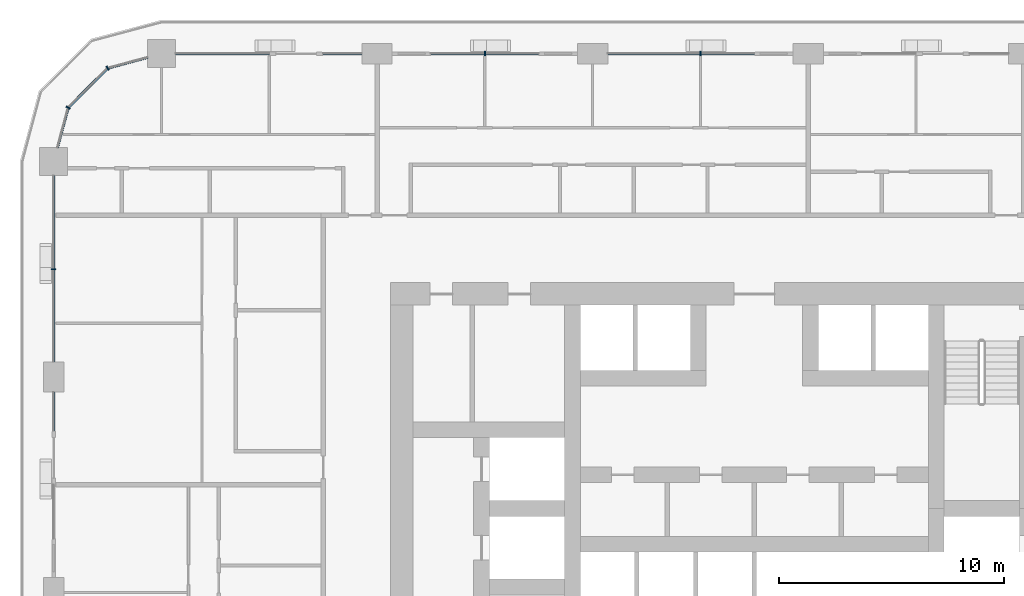
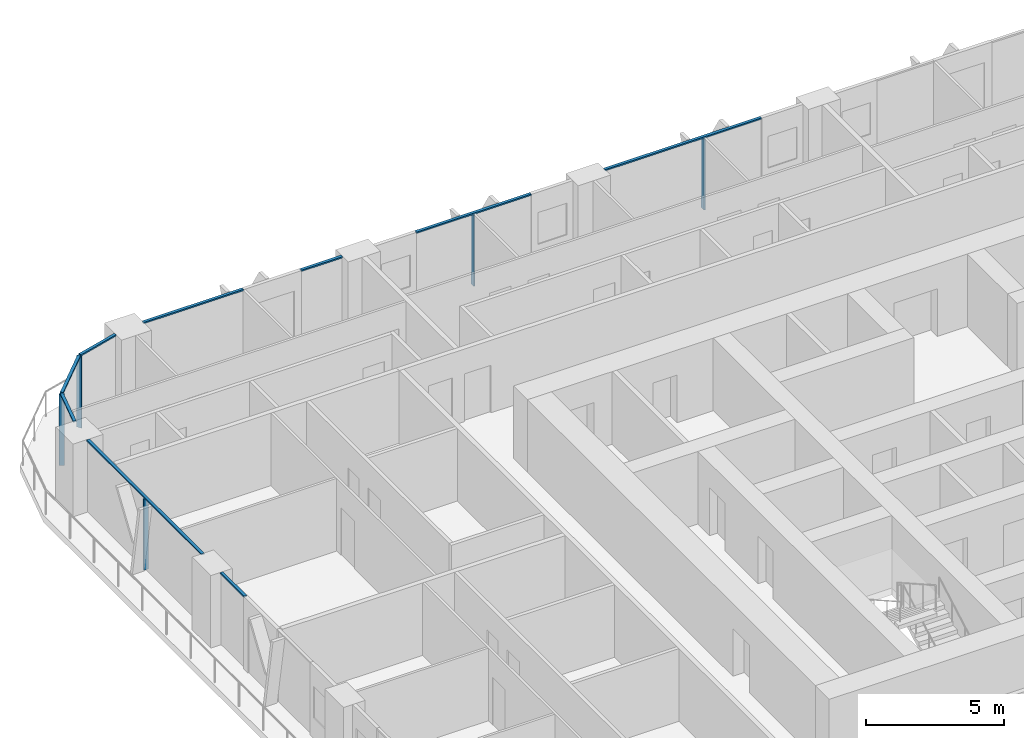
# One storey, part 5 of 21: 14 members, 6 elements without a shape of their own.
"""IFC4 building model written with IfcOpenShell, lengths in metres."""

from ifc_helpers import new_model, si_unit, direction, frame, origin, origin_2d, place, context, subcontext, project, spatial, rectangle, extrude, material, layer, layer_set, material_profile, profile_set, type_object, element, aggregate, save


model = new_model("IFC4")

# Units and contexts
model_context = context("Model", 3, precision=1e-05, world=origin(), true_north=direction((0.0, 1.0)))
body_context = subcontext(model_context, "Body", "Model", "MODEL_VIEW")
ifc_project = project(units=[si_unit("LENGTHUNIT", "METRE"), si_unit("AREAUNIT", "SQUARE_METRE"), si_unit("VOLUMEUNIT", "CUBIC_METRE"), si_unit("PLANEANGLEUNIT", "RADIAN"), si_unit("MASSUNIT", "GRAM", prefix="KILO")], contexts=[model_context])

# Site, building, storey
site_placement = place(None, origin())
site = spatial("IfcSite", under=ifc_project, at=site_placement, CompositionType="ELEMENT")
building_placement = place(site_placement, origin())
building = spatial("IfcBuilding", under=site, at=building_placement, Name="Madar Terraces", CompositionType="ELEMENT")
storey_placement = place(building_placement, frame((0.0, 0.0, 36.39990234375)))
storey = spatial("IfcBuildingStorey", under=building, at=storey_placement, Name="L08", CompositionType="ELEMENT", Elevation=36.39990234375)

# Curtain wall, member
ifc_material_1 = material(Name="Glass, ceramic frit dark grey, with black aluminium frame", Category="aluminium")
ifc_layer = layer(ifc_material_1, 0.199951171875)
ifc_layer_set = layer_set([ifc_layer], Name="Facade curtain wall, fritted glass")
curtain_wall_type = type_object("IfcCurtainWallType", Name="Facade curtain wall, fritted glass", PredefinedType="NOTDEFINED", material=ifc_layer_set)
curtain_wall_1_placement = place(storey_placement, origin())
curtain_wall_1 = element("IfcCurtainWall", 1, at=curtain_wall_1_placement, inside=storey, type_object=curtain_wall_type, Name="Outer skin curtain wall north bay 3", PredefinedType="NOTDEFINED")
ifc_material_2 = material(Name="Aluminium, black anodised", Category="aluminium")
ifc_material_profile_1 = material_profile(ifc_material_2, rectangle(XDim=0.199951171875, YDim=0.06005859375, at=origin_2d()), Name="Facade mullion 60x200")
ifc_profile_set_1 = profile_set([ifc_material_profile_1], Name="Aluminium, black anodised")
member_type_1 = type_object("IfcMemberType", Name="Facade mullion 60x200", PredefinedType="MULLION", material=ifc_profile_set_1)
member_1_placement = place(storey_placement, frame((28.800048828125, 48.0, 0.0), z_axis=(0.0, 0.0, 1.0), x_axis=(0.0, -1.0, 0.0)))
member_1 = element("IfcMember", 2, at=member_1_placement, type_object=member_type_1, Name="Mullion 1", PredefinedType="MULLION", context=body_context, shape_type="SweptSolid", body=[
    extrude(rectangle(XDim=0.199951171875, YDim=0.06005859375, at=origin_2d()), origin(), (0.0, 0.0, 1.0), 3.14013671875),
])

curtain_wall_2_placement = place(storey_placement, origin())
curtain_wall_2 = element("IfcCurtainWall", 3, at=curtain_wall_2_placement, inside=storey, type_object=curtain_wall_type, Name="Outer skin curtain wall north bay 4", PredefinedType="NOTDEFINED")
member_2_placement = place(storey_placement, frame((19.199951171875, 48.0, 0.0), z_axis=(0.0, 0.0, 1.0), x_axis=(0.0, -1.0, 0.0)))
member_2 = element("IfcMember", 4, at=member_2_placement, type_object=member_type_1, Name="Mullion 1", PredefinedType="MULLION", context=body_context, shape_type="SweptSolid", body=[
    extrude(rectangle(XDim=0.199951171875, YDim=0.06005859375, at=origin_2d()), origin(), (0.0, 0.0, 1.0), 3.14013671875),
])

curtain_wall_3_placement = place(storey_placement, origin())
curtain_wall_3 = element("IfcCurtainWall", 5, at=curtain_wall_3_placement, inside=storey, type_object=curtain_wall_type, Name="Outer skin curtain wall west bay 1", PredefinedType="NOTDEFINED")
member_3_placement = place(storey_placement, frame((0.0, 38.39990234375, 0.0), z_axis=(0.0, 0.0, 1.0), x_axis=(1.0, 0.0, 0.0)))
member_3 = element("IfcMember", 6, at=member_3_placement, type_object=member_type_1, Name="Mullion 1", PredefinedType="MULLION", context=body_context, shape_type="SweptSolid", body=[
    extrude(rectangle(XDim=0.199951171875, YDim=0.06005859375, at=origin_2d()), origin(), (0.0, 0.0, 1.0), 3.14013671875),
])

# Curtain wall, members
curtain_wall_4_placement = place(storey_placement, origin())
curtain_wall_4 = element("IfcCurtainWall", 7, at=curtain_wall_4_placement, inside=storey, type_object=curtain_wall_type, Name="Outer skin curtain wall north-west corner", PredefinedType="NOTDEFINED")
member_4_placement = place(storey_placement, frame((2.39990234375, 47.35693359375, 0.0), z_axis=(0.0, 0.0, 1.0), x_axis=(0.499999989586, -0.866025409797, 0.0)))
member_4 = element("IfcMember", 8, at=member_4_placement, type_object=member_type_1, Name="Mullion 1", PredefinedType="MULLION", context=body_context, shape_type="SweptSolid", body=[
    extrude(rectangle(XDim=0.199951171875, YDim=0.06005859375, at=origin_2d()), origin(), (0.0, 0.0, 1.0), 3.14013671875),
])
member_5_placement = place(storey_placement, frame((0.64306640625, 45.60009765625, 0.0), z_axis=(0.0, 0.0, 1.0), x_axis=(0.866025409797, -0.499999989586, 0.0)))
member_5 = element("IfcMember", 9, at=member_5_placement, type_object=member_type_1, Name="Mullion 2", PredefinedType="MULLION", context=body_context, shape_type="SweptSolid", body=[
    extrude(rectangle(XDim=0.199951171875, YDim=0.06005859375, at=origin_2d()), origin(), (0.0, 0.0, 1.0), 3.14013671875),
])

# Member
ifc_material_3 = material(Name="Aluminium, black anodised", Category="aluminium")
ifc_material_profile_2 = material_profile(ifc_material_3, rectangle(XDim=0.1201171875, YDim=0.06005859375, at=origin_2d()), Name="Facade transom 60x120")
ifc_profile_set_2 = profile_set([ifc_material_profile_2], Name="Aluminium, black anodised")
member_type_2 = type_object("IfcMemberType", Name="Facade transom 60x120", PredefinedType="USERDEFINED", material=ifc_profile_set_2)
member_6_placement = place(storey_placement, frame((31.199951171875, 48.0, 3.170166015625), z_axis=(-1.0, 0.0, 0.0), x_axis=(0.0, -1.0, 0.0)))
member_6 = element("IfcMember", 10, at=member_6_placement, type_object=member_type_2, Name="Transom 1", ObjectType="TRANSOM", PredefinedType="USERDEFINED", context=body_context, shape_type="SweptSolid", body=[
    extrude(rectangle(XDim=0.1201171875, YDim=0.06005859375, at=origin_2d()), origin(), (0.0, 0.0, 1.0), 6.52490234375),
])

aggregate(curtain_wall_1, [member_1, member_6])

member_7_placement = place(storey_placement, frame((21.60009765625, 48.0, 3.170166015625), z_axis=(-1.0, 0.0, 0.0), x_axis=(0.0, -1.0, 0.0)))
member_7 = element("IfcMember", 11, at=member_7_placement, type_object=member_type_2, Name="Transom 1", ObjectType="TRANSOM", PredefinedType="USERDEFINED", context=body_context, shape_type="SweptSolid", body=[
    extrude(rectangle(XDim=0.1201171875, YDim=0.06005859375, at=origin_2d()), origin(), (0.0, 0.0, 1.0), 4.800048828125),
])

aggregate(curtain_wall_2, [member_2, member_7])

# Curtain wall, members
curtain_wall_5_placement = place(storey_placement, origin())
curtain_wall_5 = element("IfcCurtainWall", 12, at=curtain_wall_5_placement, inside=storey, type_object=curtain_wall_type, Name="Outer skin curtain wall north bay 5", PredefinedType="NOTDEFINED")
member_8_placement = place(storey_placement, frame((13.72509765625, 48.0, 3.170166015625), z_axis=(-1.0, 0.0, 0.0), x_axis=(0.0, -1.0, 0.0)))
member_8 = element("IfcMember", 13, at=member_8_placement, type_object=member_type_2, Name="Transom 1", ObjectType="TRANSOM", PredefinedType="USERDEFINED", context=body_context, shape_type="SweptSolid", body=[
    extrude(rectangle(XDim=0.1201171875, YDim=0.06005859375, at=origin_2d()), origin(), (0.0, 0.0, 1.0), 1.72509765625),
])
member_9_placement = place(storey_placement, frame((9.60009765625, 48.0, 3.170166015625), z_axis=(-1.0, 0.0, 0.0), x_axis=(0.0, -1.0, 0.0)))
member_9 = element("IfcMember", 14, at=member_9_placement, type_object=member_type_2, Name="Transom 2", ObjectType="TRANSOM", PredefinedType="USERDEFINED", context=body_context, shape_type="SweptSolid", body=[
    extrude(rectangle(XDim=0.1201171875, YDim=0.06005859375, at=origin_2d()), origin(), (0.0, 0.0, 1.0), 4.175048828125),
])
aggregate(curtain_wall_5, [member_8, member_9])

# Member
member_10_placement = place(storey_placement, frame((0.0, 42.574951171875, 3.170166015625), z_axis=(0.0, -1.0, 0.0), x_axis=(1.0, 0.0, 0.0)))
member_10 = element("IfcMember", 15, at=member_10_placement, type_object=member_type_2, Name="Transom 1", ObjectType="TRANSOM", PredefinedType="USERDEFINED", context=body_context, shape_type="SweptSolid", body=[
    extrude(rectangle(XDim=0.1201171875, YDim=0.06005859375, at=origin_2d()), origin(), (0.0, 0.0, 1.0), 8.300048828125),
])

aggregate(curtain_wall_3, [member_3, member_10])

# Curtain wall, member
curtain_wall_6_placement = place(storey_placement, origin())
curtain_wall_6 = element("IfcCurtainWall", 16, at=curtain_wall_6_placement, inside=storey, type_object=curtain_wall_type, Name="Outer skin curtain wall west bay 2", PredefinedType="NOTDEFINED")
member_11_placement = place(storey_placement, frame((0.0, 32.925048828125, 3.170166015625), z_axis=(0.0, -1.0, 0.0), x_axis=(1.0, 0.0, 0.0)))
member_11 = element("IfcMember", 17, at=member_11_placement, type_object=member_type_2, Name="Transom 1", ObjectType="TRANSOM", PredefinedType="USERDEFINED", context=body_context, shape_type="SweptSolid", body=[
    extrude(rectangle(XDim=0.1201171875, YDim=0.06005859375, at=origin_2d()), origin(), (0.0, 0.0, 1.0), 1.72509765625),
])
aggregate(curtain_wall_6, [member_11])

# Member
member_12_placement = place(storey_placement, frame((4.175048828125, 47.83251953125, 3.170166015625), z_axis=(-0.965938406667, -0.258772089929, 0.0), x_axis=(0.258772089929, -0.965938406667, 0.0)))
member_12 = element("IfcMember", 18, at=member_12_placement, type_object=member_type_2, Name="Transom 1", ObjectType="TRANSOM", PredefinedType="USERDEFINED", context=body_context, shape_type="SweptSolid", body=[
    extrude(rectangle(XDim=0.1201171875, YDim=0.06005859375, at=origin_2d()), origin(), (0.0, 0.0, 1.0), 1.8076171875),
])

member_13_placement = place(storey_placement, frame((2.37890625, 47.335693359375, 3.170166015625), z_axis=(-0.707106781187, -0.707106781187, 0.0), x_axis=(0.707106781187, -0.707106781187, 0.0)))
member_13 = element("IfcMember", 19, at=member_13_placement, type_object=member_type_2, Name="Transom 2", ObjectType="TRANSOM", PredefinedType="USERDEFINED", context=body_context, shape_type="SweptSolid", body=[
    extrude(rectangle(XDim=0.1201171875, YDim=0.06005859375, at=origin_2d()), origin(), (0.0, 0.0, 1.0), 2.4248046875),
])

member_14_placement = place(storey_placement, frame((0.63525390625, 45.571044921875, 3.170166015625), z_axis=(-0.258772089929, -0.965938406667, 0.0), x_axis=(0.965938406667, -0.258772089929, 0.0)))
member_14 = element("IfcMember", 20, at=member_14_placement, type_object=member_type_2, Name="Transom 3", ObjectType="TRANSOM", PredefinedType="USERDEFINED", context=body_context, shape_type="SweptSolid", body=[
    extrude(rectangle(XDim=0.1201171875, YDim=0.06005859375, at=origin_2d()), origin(), (0.0, 0.0, 1.0), 1.8076171875),
])

aggregate(curtain_wall_4, [member_4, member_12, member_5, member_13, member_14])

save(model, "model.ifc")
